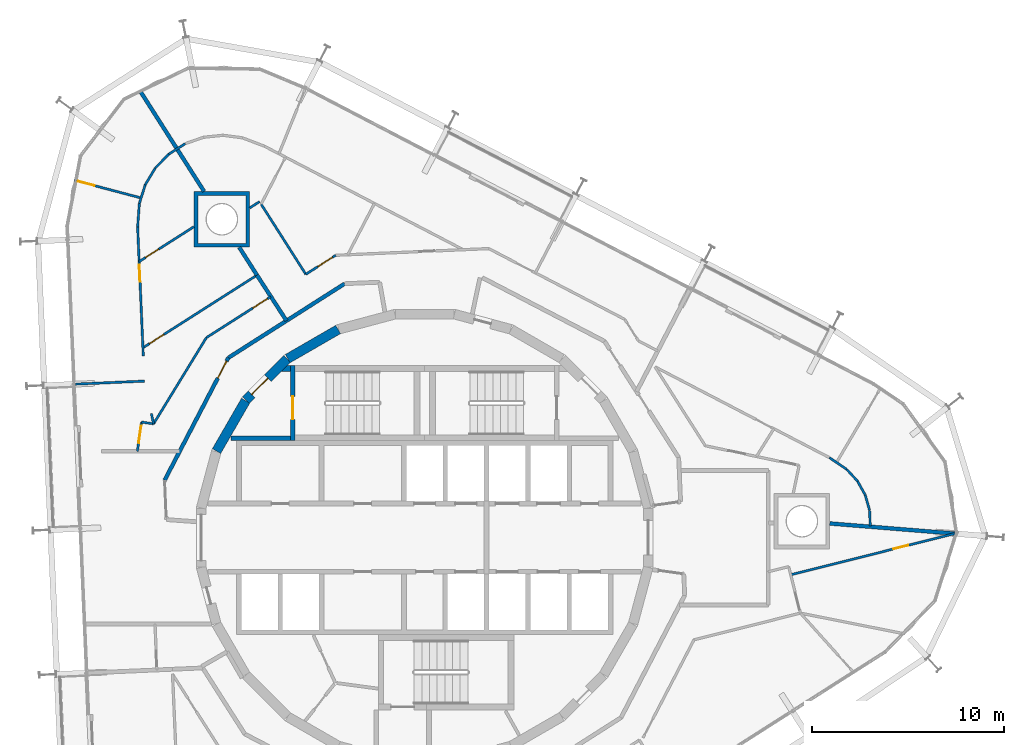
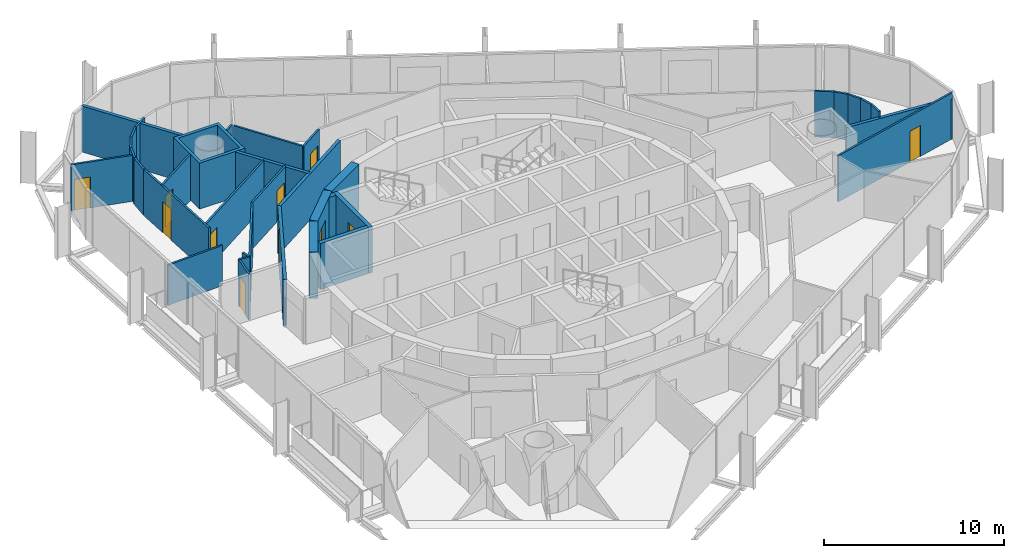
# One storey, part 15 of 18: 37 walls, 11 doors, 11 openings.
"""IFC4 building model written with IfcOpenShell, lengths in metres."""

from ifc_helpers import new_model, si_unit, direction, frame, frame_2d, origin, place, context, subcontext, project, spatial, polyline, rectangle, outline, extrude, material, layer, layer_set, type_object, element, fill, save


model = new_model("IFC4")

# Units and contexts
model_context = context("Model", 3, precision=1e-05, world=origin(), true_north=direction((0.0, 1.0)))
body_context = subcontext(model_context, "Body", "Model", "MODEL_VIEW")
ifc_project = project(units=[si_unit("LENGTHUNIT", "METRE"), si_unit("AREAUNIT", "SQUARE_METRE"), si_unit("VOLUMEUNIT", "CUBIC_METRE"), si_unit("PLANEANGLEUNIT", "RADIAN"), si_unit("MASSUNIT", "GRAM", prefix="KILO")], contexts=[model_context])

# Site, building, storey
site_placement = place(None, origin())
site = spatial("IfcSite", under=ifc_project, at=site_placement, CompositionType="ELEMENT")
building_placement = place(site_placement, origin())
building = spatial("IfcBuilding", under=site, at=building_placement, Name="Spindle Arch Residences", CompositionType="ELEMENT")
storey_placement = place(building_placement, frame((0.0, 0.0, 230.199951171875)))
storey = spatial("IfcBuildingStorey", under=building, at=storey_placement, Name="L58", CompositionType="ELEMENT", Elevation=230.199951171875)

# Wall
ifc_material_1 = material(Name="Concrete C50/60", Category="concrete")
ifc_layer_1 = layer(ifc_material_1, 0.5)
ifc_layer_set_1 = layer_set([ifc_layer_1], Name="Core outline wall 500")
wall_type_1 = type_object("IfcWallType", Name="Core outline wall 500", PredefinedType="SHEAR", material=ifc_layer_set_1)
wall_1_placement = place(storey_placement, frame((-4.510498046875, 10.84521484375, 0.0), z_axis=(0.0, 0.0, 1.0), x_axis=(-0.865975092491, -0.500087131594, 0.0)))
element("IfcWall", 1, at=wall_1_placement, inside=storey, type_object=wall_type_1, Name="Core outline wall 14", PredefinedType="SHEAR", context=body_context, shape_type="SweptSolid", body=[
    extrude(rectangle(XDim=3.03271484375, YDim=0.5, at=frame_2d((1.516357421875, 0.0))), origin(), (0.0, 0.0, 1.0), 3.1201171875),
])

# Wall, opening, door
wall_2_placement = place(storey_placement, frame((-7.163818359375, 9.30810546875, 0.0), z_axis=(0.0, 0.0, 1.0), x_axis=(-0.707106781187, -0.707106781187, 0.0)))
wall_2 = element("IfcWall", 2, at=wall_2_placement, inside=storey, type_object=wall_type_1, Name="Core outline wall 15", PredefinedType="SHEAR", context=body_context, shape_type="SweptSolid", body=[
    extrude(rectangle(XDim=3.032470703125, YDim=0.5, at=frame_2d((1.51611328125, 0.0))), origin(), (0.0, 0.0, 1.0), 3.1201171875),
])
opening_1_placement = place(wall_2_placement, frame((1.416259765625, 0.0, 0.0)))
opening_1 = element("IfcOpeningElement", 3, at=opening_1_placement, cuts=wall_2, Name="Opening R6A1-AD02", PredefinedType="OPENING", context=body_context, shape_type="SweptSolid", body=[
    extrude(rectangle(XDim=1.199951171875, YDim=2.10009765625, at=frame_2d((0.60009765625, 1.050048828125))), frame((0.0, 0.260009765625, 0.0), z_axis=(0.0, -1.0, 0.0), x_axis=(1.0, 0.0, 0.0)), (0.0, 0.0, 1.0), 0.52001953125),
])
ifc_material_2 = material(Name="Steel, fire-resisting door", Category="steel")
door_type_1 = type_object("IfcDoorType", Name="Stair airlock door 1200x2100", OperationType="SINGLE_SWING_LEFT", PredefinedType="DOOR", material=ifc_material_2)
door_1_placement = place(opening_1_placement, origin())
door_1 = element("IfcDoor", 4, at=door_1_placement, inside=storey, type_object=door_type_1, Name="Stair airlock door R6A1-AD02", OperationType="SINGLE_SWING_RIGHT", OverallHeight=2.10009765625, OverallWidth=1.199951171875, PredefinedType="DOOR", context=body_context, shape_type="SweptSolid", body=[
    extrude(rectangle(XDim=1.199951171875, YDim=2.10009765625, at=frame_2d((0.60009765625, 1.050048828125))), frame((0.0, 0.02490234375, 0.0), z_axis=(0.0, -1.0, 0.0), x_axis=(1.0, 0.0, 0.0)), (0.0, 0.0, 1.0), 0.050048828125),
])
fill(opening_1, door_1)

# Walls
wall_3_placement = place(storey_placement, frame((-9.32861328125, 7.13671875, 0.0), z_axis=(0.0, 0.0, 1.0), x_axis=(-0.500087131594, -0.865975092491, 0.0)))
element("IfcWall", 5, at=wall_3_placement, inside=storey, type_object=wall_type_1, Name="Core outline wall 16", PredefinedType="SHEAR", context=body_context, shape_type="SweptSolid", body=[
    extrude(rectangle(XDim=3.03271484375, YDim=0.5, at=frame_2d((1.516357421875, 0.0))), origin(), (0.0, 0.0, 1.0), 3.1201171875),
])
ifc_material_3 = material(Name="Calcium silicate block, plastered")
ifc_layer_2 = layer(ifc_material_3, 0.199951171875)
ifc_layer_set_2 = layer_set([ifc_layer_2], Name="Corridor wall 200")
wall_type_2 = type_object("IfcWallType", Name="Corridor wall 200", PredefinedType="STANDARD", material=ifc_layer_set_2)
wall_4_placement = place(storey_placement, frame((-4.171630859375, 13.230712890625, 0.0), z_axis=(0.0, 0.0, 1.0), x_axis=(-0.843388394728, -0.537304397561, 0.0)))
element("IfcWall", 6, at=wall_4_placement, inside=storey, type_object=wall_type_2, Name="Corridor wall R6A1-W012", PredefinedType="STANDARD", context=body_context, shape_type="SweptSolid", body=[
    extrude(rectangle(XDim=7.180908203125, YDim=0.199951171875, at=frame_2d((3.59033203125, 0.0))), origin(), (0.0, 0.0, 1.0), 3.1201171875),
])
ifc_material_4 = material(Name="Plasterboard on steel studs", Category="steel")
ifc_layer_3 = layer(ifc_material_4, 0.1201171875)
ifc_layer_set_3 = layer_set([ifc_layer_3], Name="Flat partition 120")
wall_type_3 = type_object("IfcWallType", Name="Flat partition 120", PredefinedType="PARTITIONING", material=ifc_layer_set_3)
wall_5_placement = place(storey_placement, frame((21.085205078125, 4.16943359375, 0.0), z_axis=(0.0, 0.0, 1.0), x_axis=(0.827390024541, -0.561627765776, 0.0)))
element("IfcWall", 7, at=wall_5_placement, inside=storey, type_object=wall_type_3, Name="Flat partition R6A1-W043", PredefinedType="PARTITIONING", context=body_context, shape_type="SweptSolid", body=[
    extrude(rectangle(XDim=1.086669921875, YDim=0.1201171875, at=frame_2d((0.54345703125, 0.0))), origin(), (0.0, 0.0, 1.0), 3.1201171875),
])
wall_6_placement = place(storey_placement, frame((21.984375, 3.55908203125, 0.0), z_axis=(0.0, 0.0, 1.0), x_axis=(0.675497816835, -0.737361986715, 0.0)))
element("IfcWall", 8, at=wall_6_placement, inside=storey, type_object=wall_type_3, Name="Flat partition R6A1-W044", PredefinedType="PARTITIONING", context=body_context, shape_type="SweptSolid", body=[
    extrude(rectangle(XDim=0.828857421875, YDim=0.1201171875, at=frame_2d((0.41455078125, 0.0))), origin(), (0.0, 0.0, 1.0), 3.1201171875),
])
wall_7_placement = place(storey_placement, frame((22.544189453125, 2.947998046875, 0.0), z_axis=(0.0, 0.0, 1.0), x_axis=(0.487392269075, -0.873183128585, 0.0)))
element("IfcWall", 9, at=wall_7_placement, inside=storey, type_object=wall_type_3, Name="Flat partition R6A1-W045", PredefinedType="PARTITIONING", context=body_context, shape_type="SweptSolid", body=[
    extrude(rectangle(XDim=0.8291015625, YDim=0.1201171875, at=frame_2d((0.41455078125, 0.0))), origin(), (0.0, 0.0, 1.0), 3.1201171875),
])
for number, where, z_axis, x_axis, name in (
    (10, (22.9482421875, 2.22412109375, 0.0), (0.0, 0.0, 1.0), (0.272775267496, -0.96207777931, 0.0), "Flat partition R6A1-W046"),
    (11, (23.17431640625, 1.4267578125, 0.0), (0.0, 0.0, 1.0), (0.043884567994, -0.999036608284, 0.0), "Flat partition R6A1-W047"),
):
    element("IfcWall", number, at=place(storey_placement, frame(where, z_axis=z_axis, x_axis=x_axis)), inside=storey, type_object=wall_type_3, Name=name, PredefinedType="PARTITIONING", context=body_context, shape_type="SweptSolid", body=[
        extrude(rectangle(XDim=0.828857421875, YDim=0.1201171875, at=frame_2d((0.41455078125, 0.0))), origin(), (0.0, 0.0, 1.0), 3.1201171875),
    ])

# Wall, opening, door
wall_8_placement = place(storey_placement, frame((-4.638671875, 14.711669921875, 0.0), z_axis=(0.0, 0.0, 1.0), x_axis=(-0.843361471414, -0.537346655833, 0.0)))
wall_8 = element("IfcWall", 12, at=wall_8_placement, inside=storey, type_object=wall_type_3, Name="Flat partition R6A1-W055", PredefinedType="PARTITIONING", context=body_context, shape_type="SweptSolid", body=[
    extrude(rectangle(XDim=1.84375, YDim=0.1201171875, at=frame_2d((0.921875, 0.0))), origin(), (0.0, 0.0, 1.0), 3.1201171875),
])
opening_2_placement = place(wall_8_placement, frame((0.199951171875, 0.0, 0.0)))
opening_2 = element("IfcOpeningElement", 13, at=opening_2_placement, cuts=wall_8, Name="Opening R6A1-ID06", PredefinedType="OPENING", context=body_context, shape_type="SweptSolid", body=[
    extrude(rectangle(XDim=0.89990234375, YDim=2.10009765625, at=frame_2d((0.449951171875, 1.050048828125))), frame((0.0, 0.070068359375, 0.0), z_axis=(0.0, -1.0, 0.0), x_axis=(1.0, 0.0, 0.0)), (0.0, 0.0, 1.0), 0.14013671875),
])
ifc_material_5 = material(Name="Timber door set", Category="wood")
door_type_2 = type_object("IfcDoorType", Name="Room door 900x2100", OperationType="NOTDEFINED", PredefinedType="DOOR", material=ifc_material_5)
door_2_placement = place(opening_2_placement, origin())
door_2 = element("IfcDoor", 14, at=door_2_placement, inside=storey, type_object=door_type_2, Name="Room door R6A1-ID06", OperationType="SINGLE_SWING_RIGHT", OverallHeight=2.10009765625, OverallWidth=0.89990234375, PredefinedType="DOOR", context=body_context, shape_type="SweptSolid", body=[
    extrude(rectangle(XDim=0.89990234375, YDim=2.10009765625, at=frame_2d((0.449951171875, 1.050048828125))), frame((0.0, 0.02490234375, 0.0), z_axis=(0.0, -1.0, 0.0), x_axis=(1.0, 0.0, 0.0)), (0.0, 0.0, 1.0), 0.050048828125),
])
fill(opening_2, door_2)

# Walls
wall_9_placement = place(storey_placement, frame((-6.193603515625, 13.720947265625, 0.0), z_axis=(0.0, 0.0, 1.0), x_axis=(-0.537316807294, 0.843380488629, 0.0)))
element("IfcWall", 15, at=wall_9_placement, inside=storey, type_object=wall_type_3, Name="Flat partition R6A1-W056", PredefinedType="PARTITIONING", context=body_context, shape_type="SweptSolid", body=[
    extrude(rectangle(XDim=4.33056640625, YDim=0.1201171875, at=frame_2d((2.165283203125, 0.0))), origin(), (0.0, 0.0, 1.0), 3.1201171875),
])
wall_10_placement = place(storey_placement, frame((-8.603515625, 17.50390625, 0.0), z_axis=(0.0, 0.0, 1.0), x_axis=(-0.843265746233, -0.537496866251, 0.0)))
element("IfcWall", 16, at=wall_10_placement, inside=storey, type_object=wall_type_3, Name="Flat partition R6A1-W057", PredefinedType="PARTITIONING", context=body_context, shape_type="SweptSolid", body=[
    extrude(rectangle(XDim=0.610107421875, YDim=0.1201171875, at=frame_2d((0.30517578125, 0.0))), origin(), (0.0, 0.0, 1.0), 3.1201171875),
])
wall_11_placement = place(storey_placement, frame((-13.33154296875, 19.980712890625, 0.0), z_axis=(0.0, 0.0, 1.0), x_axis=(0.843404143432, 0.537279676557, 0.0)))
element("IfcWall", 17, at=wall_11_placement, inside=storey, type_object=wall_type_3, Name="Flat partition R6A1-W063", PredefinedType="PARTITIONING", context=body_context, shape_type="SweptSolid", body=[
    extrude(rectangle(XDim=1.01611328125, YDim=0.1201171875, at=frame_2d((0.508056640625, 0.0))), origin(), (0.0, 0.0, 1.0), 3.1201171875),
])

# Wall, opening, door
wall_12_placement = place(storey_placement, frame((-8.0234375, 12.55517578125, 0.0), z_axis=(0.0, 0.0, 1.0), x_axis=(-0.843408270233, -0.537273198385, 0.0)))
wall_12 = element("IfcWall", 18, at=wall_12_placement, inside=storey, type_object=wall_type_3, Name="Flat partition R6A1-W068", PredefinedType="PARTITIONING", context=body_context, shape_type="SweptSolid", body=[
    extrude(rectangle(XDim=3.971435546875, YDim=0.1201171875, at=frame_2d((1.98583984375, 0.0))), origin(), (0.0, 0.0, 1.0), 3.1201171875),
])
opening_3_placement = place(wall_12_placement, frame((0.199951171875, 0.0, 0.0)))
opening_3 = element("IfcOpeningElement", 19, at=opening_3_placement, cuts=wall_12, Name="Opening R6A1-ID09", PredefinedType="OPENING", context=body_context, shape_type="SweptSolid", body=[
    extrude(rectangle(XDim=0.89990234375, YDim=2.10009765625, at=frame_2d((0.449951171875, 1.050048828125))), frame((0.0, 0.070068359375, 0.0), z_axis=(0.0, -1.0, 0.0), x_axis=(1.0, 0.0, 0.0)), (0.0, 0.0, 1.0), 0.14013671875),
])
door_3_placement = place(opening_3_placement, origin())
door_3 = element("IfcDoor", 20, at=door_3_placement, inside=storey, type_object=door_type_2, Name="Room door R6A1-ID09", OperationType="SINGLE_SWING_LEFT", OverallHeight=2.10009765625, OverallWidth=0.89990234375, PredefinedType="DOOR", context=body_context, shape_type="SweptSolid", body=[
    extrude(rectangle(XDim=0.89990234375, YDim=2.10009765625, at=frame_2d((0.449951171875, 1.050048828125))), frame((0.0, 0.02490234375, 0.0), z_axis=(0.0, -1.0, 0.0), x_axis=(1.0, 0.0, 0.0)), (0.0, 0.0, 1.0), 0.050048828125),
])
fill(opening_3, door_3)

# Walls
wall_13_placement = place(storey_placement, frame((-11.373046875, 10.42138671875, 0.0), z_axis=(0.0, 0.0, 1.0), x_axis=(-0.522435957358, -0.852678527031, 0.0)))
element("IfcWall", 21, at=wall_13_placement, inside=storey, type_object=wall_type_3, Name="Flat partition R6A1-W069", PredefinedType="PARTITIONING", context=body_context, shape_type="SweptSolid", body=[
    extrude(rectangle(XDim=5.2666015625, YDim=0.1201171875, at=frame_2d((2.63330078125, 0.0))), origin(), (0.0, 0.0, 1.0), 3.1201171875),
])
wall_14_placement = place(storey_placement, frame((-14.12451171875, 5.9306640625, 0.0), z_axis=(0.0, 0.0, 1.0), x_axis=(-0.989621518838, 0.143698467119, 0.0)))
element("IfcWall", 22, at=wall_14_placement, inside=storey, type_object=wall_type_3, Name="Flat partition R6A1-W070", PredefinedType="PARTITIONING", context=body_context, shape_type="SweptSolid", body=[
    extrude(rectangle(XDim=0.63037109375, YDim=0.1201171875, at=frame_2d((0.315185546875, 0.0))), origin(), (0.0, 0.0, 1.0), 3.1201171875),
])

# Wall, opening, door
wall_15_placement = place(storey_placement, frame((-14.748291015625, 6.021240234375, 0.0), z_axis=(0.0, 0.0, 1.0), x_axis=(-0.143888945672, -0.98959384159, 0.0)))
wall_15 = element("IfcWall", 23, at=wall_15_placement, inside=storey, type_object=wall_type_3, Name="Flat partition R6A1-W071", PredefinedType="PARTITIONING", context=body_context, shape_type="SweptSolid", body=[
    extrude(rectangle(XDim=1.537353515625, YDim=0.1201171875, at=frame_2d((0.7685546875, 0.0))), origin(), (0.0, 0.0, 1.0), 3.1201171875),
])
opening_4_placement = place(wall_15_placement, frame((0.199951171875, 0.0, 0.0)))
opening_4 = element("IfcOpeningElement", 24, at=opening_4_placement, cuts=wall_15, Name="Opening R6A1-ID10", PredefinedType="OPENING", context=body_context, shape_type="SweptSolid", body=[
    extrude(rectangle(XDim=0.89990234375, YDim=2.10009765625, at=frame_2d((0.449951171875, 1.050048828125))), frame((0.0, 0.070068359375, 0.0), z_axis=(0.0, -1.0, 0.0), x_axis=(1.0, 0.0, 0.0)), (0.0, 0.0, 1.0), 0.14013671875),
])
door_4_placement = place(opening_4_placement, origin())
door_4 = element("IfcDoor", 25, at=door_4_placement, inside=storey, type_object=door_type_2, Name="Room door R6A1-ID10", OperationType="SINGLE_SWING_LEFT", OverallHeight=2.10009765625, OverallWidth=0.89990234375, PredefinedType="DOOR", context=body_context, shape_type="SweptSolid", body=[
    extrude(rectangle(XDim=0.89990234375, YDim=2.10009765625, at=frame_2d((0.449951171875, 1.050048828125))), frame((0.0, 0.02490234375, 0.0), z_axis=(0.0, -1.0, 0.0), x_axis=(1.0, 0.0, 0.0)), (0.0, 0.0, 1.0), 0.050048828125),
])
fill(opening_4, door_4)

# Walls
for number, where, z_axis, x_axis, name in (
    (26, (-14.865478515625, 17.410888671875, 0.0), (0.0, 0.0, 1.0), (0.300682714382, 0.953724229152, 0.0), "Flat partition R6A1-W072"),
    (27, (-14.56005859375, 18.379638671875, 0.0), (0.0, 0.0, 1.0), (0.512586118981, 0.858635819558, 0.0), "Flat partition R6A1-W073"),
    (28, (-14.039306640625, 19.251953125, 0.0), (0.0, 0.0, 1.0), (0.69669736192, 0.717365169138, 0.0), "Flat partition R6A1-W074"),
):
    element("IfcWall", number, at=place(storey_placement, frame(where, z_axis=z_axis, x_axis=x_axis)), inside=storey, type_object=wall_type_3, Name=name, PredefinedType="PARTITIONING", context=body_context, shape_type="SweptSolid", body=[
        extrude(rectangle(XDim=1.015869140625, YDim=0.1201171875, at=frame_2d((0.5078125, 0.0))), origin(), (0.0, 0.0, 1.0), 3.1201171875),
    ])

# Wall, opening, door
wall_16_placement = place(storey_placement, frame((-18.259521484375, 18.6181640625, 0.0), z_axis=(0.0, 0.0, 1.0), x_axis=(0.96689176932, -0.25518680691, 0.0)))
wall_16 = element("IfcWall", 29, at=wall_16_placement, inside=storey, type_object=wall_type_3, Name="Flat partition R6A1-W075", PredefinedType="PARTITIONING", context=body_context, shape_type="SweptSolid", body=[
    extrude(rectangle(XDim=3.60400390625, YDim=0.1201171875, at=frame_2d((1.802001953125, 0.0))), origin(), (0.0, 0.0, 1.0), 3.1201171875),
])
opening_5_placement = place(wall_16_placement, frame((0.199951171875, 0.0, 0.0)))
opening_5 = element("IfcOpeningElement", 30, at=opening_5_placement, cuts=wall_16, Name="Opening R6A1-ID13", PredefinedType="OPENING", context=body_context, shape_type="SweptSolid", body=[
    extrude(rectangle(XDim=0.89990234375, YDim=2.10009765625, at=frame_2d((0.449951171875, 1.050048828125))), frame((0.0, 0.070068359375, 0.0), z_axis=(0.0, -1.0, 0.0), x_axis=(1.0, 0.0, 0.0)), (0.0, 0.0, 1.0), 0.14013671875),
])
door_5_placement = place(opening_5_placement, origin())
door_5 = element("IfcDoor", 31, at=door_5_placement, inside=storey, type_object=door_type_2, Name="Room door R6A1-ID13", OperationType="SINGLE_SWING_LEFT", OverallHeight=2.10009765625, OverallWidth=0.89990234375, PredefinedType="DOOR", context=body_context, shape_type="SweptSolid", body=[
    extrude(rectangle(XDim=0.89990234375, YDim=2.10009765625, at=frame_2d((0.449951171875, 1.050048828125))), frame((0.0, 0.02490234375, 0.0), z_axis=(0.0, -1.0, 0.0), x_axis=(1.0, 0.0, 0.0)), (0.0, 0.0, 1.0), 0.050048828125),
])
fill(opening_5, door_5)

wall_17_placement = place(storey_placement, frame((-14.8759765625, 14.381591796875, 0.0), z_axis=(0.0, 0.0, 1.0), x_axis=(0.843409222082, 0.537271704175, 0.0)))
wall_17 = element("IfcWall", 32, at=wall_17_placement, inside=storey, type_object=wall_type_3, Name="Flat partition R6A1-W076", PredefinedType="PARTITIONING", context=body_context, shape_type="SweptSolid", body=[
    extrude(rectangle(XDim=3.388427734375, YDim=0.1201171875, at=frame_2d((1.6943359375, 0.0))), origin(), (0.0, 0.0, 1.0), 3.1201171875),
])
opening_6_placement = place(wall_17_placement, frame((0.39990234375, 0.0, 0.0)))
opening_6 = element("IfcOpeningElement", 33, at=opening_6_placement, cuts=wall_17, Name="Opening R6A1-BD03", PredefinedType="OPENING", context=body_context, shape_type="SweptSolid", body=[
    extrude(rectangle(XDim=0.800048828125, YDim=2.10009765625, at=frame_2d((0.39990234375, 1.050048828125))), frame((0.0, 0.070068359375, 0.0), z_axis=(0.0, -1.0, 0.0), x_axis=(1.0, 0.0, 0.0)), (0.0, 0.0, 1.0), 0.14013671875),
])
ifc_material_6 = material(Name="Timber door set", Category="wood")
door_type_3 = type_object("IfcDoorType", Name="Bathroom door 800x2100", OperationType="NOTDEFINED", PredefinedType="DOOR", material=ifc_material_6)
door_6_placement = place(opening_6_placement, origin())
door_6 = element("IfcDoor", 34, at=door_6_placement, inside=storey, type_object=door_type_3, Name="Bathroom door R6A1-BD03", OperationType="SINGLE_SWING_LEFT", OverallHeight=2.10009765625, OverallWidth=0.800048828125, PredefinedType="DOOR", context=body_context, shape_type="SweptSolid", body=[
    extrude(rectangle(XDim=0.800048828125, YDim=2.10009765625, at=frame_2d((0.39990234375, 1.050048828125))), frame((0.0, 0.02490234375, 0.0), z_axis=(0.0, -1.0, 0.0), x_axis=(1.0, 0.0, 0.0)), (0.0, 0.0, 1.0), 0.050048828125),
])
fill(opening_6, door_6)

# Wall
wall_18_placement = place(storey_placement, frame((-14.865478515625, 17.410888671875, 0.0), z_axis=(0.0, 0.0, 1.0), x_axis=(-0.072618457011, -0.997359794508, 0.0)))
element("IfcWall", 35, at=wall_18_placement, inside=storey, type_object=wall_type_3, Name="Flat partition R6A1-W077", PredefinedType="PARTITIONING", context=body_context, shape_type="SweptSolid", body=[
    extrude(rectangle(XDim=1.22705078125, YDim=0.1201171875, at=frame_2d((0.613525390625, 0.0))), origin(), (0.0, 0.0, 1.0), 3.1201171875),
])

# Wall, opening, door
wall_19_placement = place(storey_placement, frame((-14.95458984375, 16.18701171875, 0.0), z_axis=(0.0, 0.0, 1.0), x_axis=(0.043591713888, -0.999049429448, 0.0)))
wall_19 = element("IfcWall", 36, at=wall_19_placement, inside=storey, type_object=wall_type_3, Name="Flat partition R6A1-W078", PredefinedType="PARTITIONING", context=body_context, shape_type="SweptSolid", body=[
    extrude(rectangle(XDim=6.720703125, YDim=0.1201171875, at=frame_2d((3.3603515625, 0.0))), origin(), (0.0, 0.0, 1.0), 3.1201171875),
])
opening_7_placement = place(wall_19_placement, frame((1.9609375, 0.0, 0.0)))
opening_7 = element("IfcOpeningElement", 37, at=opening_7_placement, cuts=wall_19, Name="Opening R6A1-ID12", PredefinedType="OPENING", context=body_context, shape_type="SweptSolid", body=[
    extrude(rectangle(XDim=0.89990234375, YDim=2.10009765625, at=frame_2d((0.449951171875, 1.050048828125))), frame((0.0, 0.070068359375, 0.0), z_axis=(0.0, -1.0, 0.0), x_axis=(1.0, 0.0, 0.0)), (0.0, 0.0, 1.0), 0.14013671875),
])
door_7_placement = place(opening_7_placement, origin())
door_7 = element("IfcDoor", 38, at=door_7_placement, inside=storey, type_object=door_type_2, Name="Room door R6A1-ID12", OperationType="SINGLE_SWING_LEFT", OverallHeight=2.10009765625, OverallWidth=0.89990234375, PredefinedType="DOOR", context=body_context, shape_type="SweptSolid", body=[
    extrude(rectangle(XDim=0.89990234375, YDim=2.10009765625, at=frame_2d((0.449951171875, 1.050048828125))), frame((0.0, 0.02490234375, 0.0), z_axis=(0.0, -1.0, 0.0), x_axis=(1.0, 0.0, 0.0)), (0.0, 0.0, 1.0), 0.050048828125),
])
fill(opening_7, door_7)

wall_20_placement = place(storey_placement, frame((-14.6796875, 9.89111328125, 0.0), z_axis=(0.0, 0.0, 1.0), x_axis=(0.843391697183, 0.537299213774, 0.0)))
wall_20 = element("IfcWall", 39, at=wall_20_placement, inside=storey, type_object=wall_type_3, Name="Flat partition R6A1-W079", PredefinedType="PARTITIONING", context=body_context, shape_type="SweptSolid", body=[
    extrude(rectangle(XDim=7.045166015625, YDim=0.1201171875, at=frame_2d((3.5224609375, 0.0))), origin(), (0.0, 0.0, 1.0), 3.1201171875),
])
opening_8_placement = place(wall_20_placement, frame((0.39990234375, 0.0, 0.0)))
opening_8 = element("IfcOpeningElement", 40, at=opening_8_placement, cuts=wall_20, Name="Opening R6A1-ID11", PredefinedType="OPENING", context=body_context, shape_type="SweptSolid", body=[
    extrude(rectangle(XDim=0.89990234375, YDim=2.10009765625, at=frame_2d((0.449951171875, 1.050048828125))), frame((0.0, 0.070068359375, 0.0), z_axis=(0.0, -1.0, 0.0), x_axis=(1.0, 0.0, 0.0)), (0.0, 0.0, 1.0), 0.14013671875),
])
door_8_placement = place(opening_8_placement, origin())
door_8 = element("IfcDoor", 41, at=door_8_placement, inside=storey, type_object=door_type_2, Name="Room door R6A1-ID11", OperationType="SINGLE_SWING_LEFT", OverallHeight=2.10009765625, OverallWidth=0.89990234375, PredefinedType="DOOR", context=body_context, shape_type="SweptSolid", body=[
    extrude(rectangle(XDim=0.89990234375, YDim=2.10009765625, at=frame_2d((0.449951171875, 1.050048828125))), frame((0.0, 0.02490234375, 0.0), z_axis=(0.0, -1.0, 0.0), x_axis=(1.0, 0.0, 0.0)), (0.0, 0.0, 1.0), 0.050048828125),
])
fill(opening_8, door_8)

# Wall
wall_21_placement = place(storey_placement, frame((-14.240234375, 6.467041015625, 0.0), z_axis=(0.0, 0.0, 1.0), x_axis=(0.210896225868, -0.977508456186, 0.0)))
element("IfcWall", 42, at=wall_21_placement, inside=storey, type_object=wall_type_3, Name="Flat partition R6A1-W080", PredefinedType="PARTITIONING", context=body_context, shape_type="SweptSolid", body=[
    extrude(rectangle(XDim=0.548828125, YDim=0.1201171875, at=frame_2d((0.2744140625, 0.0))), origin(), (0.0, 0.0, 1.0), 3.1201171875),
])

# Wall, opening, door
wall_22_placement = place(storey_placement, frame((27.616455078125, 0.211669921875, 0.0), z_axis=(0.0, 0.0, 1.0), x_axis=(-0.969995609005, -0.243122435227, 0.0)))
wall_22 = element("IfcWall", 43, at=wall_22_placement, inside=storey, type_object=wall_type_3, Name="Flat partition R6A1-W116", PredefinedType="PARTITIONING", context=body_context, shape_type="SweptSolid", body=[
    extrude(rectangle(XDim=8.809814453125, YDim=0.1201171875, at=frame_2d((4.40478515625, 0.0))), origin(), (0.0, 0.0, 1.0), 3.1201171875),
])
opening_9_placement = place(wall_22_placement, frame((2.5, 0.0, 0.0)))
opening_9 = element("IfcOpeningElement", 44, at=opening_9_placement, cuts=wall_22, Name="Opening R6A1-BD07", PredefinedType="OPENING", context=body_context, shape_type="SweptSolid", body=[
    extrude(rectangle(XDim=0.800048828125, YDim=2.10009765625, at=frame_2d((0.39990234375, 1.050048828125))), frame((0.0, 0.070068359375, 0.0), z_axis=(0.0, -1.0, 0.0), x_axis=(1.0, 0.0, 0.0)), (0.0, 0.0, 1.0), 0.14013671875),
])
door_9_placement = place(opening_9_placement, origin())
door_9 = element("IfcDoor", 45, at=door_9_placement, inside=storey, type_object=door_type_3, Name="Bathroom door R6A1-BD07", OperationType="SINGLE_SWING_RIGHT", OverallHeight=2.10009765625, OverallWidth=0.800048828125, PredefinedType="DOOR", context=body_context, shape_type="SweptSolid", body=[
    extrude(rectangle(XDim=0.800048828125, YDim=2.10009765625, at=frame_2d((0.39990234375, 1.050048828125))), frame((0.0, 0.02490234375, 0.0), z_axis=(0.0, -1.0, 0.0), x_axis=(1.0, 0.0, 0.0)), (0.0, 0.0, 1.0), 0.050048828125),
])
fill(opening_9, door_9)

# Walls
ifc_material_7 = material(Name="Plasterboard on steel studs", Category="steel")
ifc_layer_4 = layer(ifc_material_7, 0.1201171875)
ifc_layer_set_4 = layer_set([ifc_layer_4], Name="Flat partition 120 under beam 2730")
wall_type_4 = type_object("IfcWallType", Name="Flat partition 120 under beam 2730", PredefinedType="PARTITIONING", material=ifc_layer_set_4)
wall_23_placement = place(storey_placement, frame((-18.20068359375, 7.998779296875, 0.0), z_axis=(0.0, 0.0, 1.0), x_axis=(0.999048850974, 0.043604969534, 0.0)))
element("IfcWall", 46, at=wall_23_placement, inside=storey, type_object=wall_type_4, Name="Flat partition R6A1-W081", PredefinedType="PARTITIONING", context=body_context, shape_type="SweptSolid", body=[
    extrude(rectangle(XDim=3.60009765625, YDim=0.1201171875, at=frame_2d((1.800048828125, 0.0))), origin(), (0.0, 0.0, 1.0), 2.72998046875),
])
ifc_material_8 = material(Name="Calcium silicate block, plastered")
ifc_layer_5 = layer(ifc_material_8, 0.199951171875)
ifc_layer_set_5 = layer_set([ifc_layer_5], Name="Flat party wall 200")
wall_type_5 = type_object("IfcWallType", Name="Flat party wall 200", PredefinedType="STANDARD", material=ifc_layer_set_5)
wall_24_placement = place(storey_placement, frame((-8.73779296875, 13.676513671875, 0.0), z_axis=(0.0, 0.0, 1.0), x_axis=(0.54358037296, -0.839357121929, 0.0)))
element("IfcWall", 47, at=wall_24_placement, inside=storey, type_object=wall_type_5, Name="Flat party wall R6A1-W031", PredefinedType="STANDARD", context=body_context, shape_type="SweptSolid", body=[
    extrude(rectangle(XDim=2.82958984375, YDim=0.199951171875, at=frame_2d((1.414794921875, 0.0))), origin(), (0.0, 0.0, 1.0), 3.1201171875),
])
wall_25_placement = place(storey_placement, frame((-9.662841796875, 15.12890625, 0.0), z_axis=(0.0, 0.0, 1.0), x_axis=(0.537205715853, -0.843451254581, 0.0)))
element("IfcWall", 48, at=wall_25_placement, inside=storey, type_object=wall_type_5, Name="Flat party wall R6A1-W032", PredefinedType="STANDARD", context=body_context, shape_type="SweptSolid", body=[
    extrude(rectangle(XDim=1.721923828125, YDim=0.199951171875, at=frame_2d((0.86083984375, 0.0))), origin(), (0.0, 0.0, 1.0), 3.1201171875),
])
wall_26_placement = place(storey_placement, frame((-14.83740234375, 23.289794921875, 0.0), z_axis=(0.0, 0.0, 1.0), x_axis=(0.537316863221, -0.843380452998, 0.0)))
element("IfcWall", 49, at=wall_26_placement, inside=storey, type_object=wall_type_5, Name="Flat party wall R6A1-W033", PredefinedType="STANDARD", context=body_context, shape_type="SweptSolid", body=[
    extrude(rectangle(XDim=6.226806640625, YDim=0.199951171875, at=frame_2d((3.11328125, 0.0))), origin(), (0.0, 0.0, 1.0), 3.1201171875),
])
ifc_material_9 = material(Name="Calcium silicate block, plastered")
ifc_layer_6 = layer(ifc_material_9, 0.199951171875)
ifc_layer_set_6 = layer_set([ifc_layer_6], Name="Flat party wall 200 under beam 2730")
wall_type_6 = type_object("IfcWallType", Name="Flat party wall 200 under beam 2730", PredefinedType="STANDARD", material=ifc_layer_set_6)
wall_27_placement = place(storey_placement, frame((21.10009765625, 0.74072265625, 0.0), z_axis=(0.0, 0.0, 1.0), x_axis=(0.996750718609, -0.080548153006, 0.0)))
element("IfcWall", 50, at=wall_27_placement, inside=storey, type_object=wall_type_6, Name="Flat party wall R6A1-W030", PredefinedType="STANDARD", context=body_context, shape_type="SweptSolid", body=[
    extrude(rectangle(XDim=6.537841796875, YDim=0.199951171875, at=frame_2d((3.26904296875, 0.0))), origin(), (0.0, 0.0, 1.0), 2.72998046875),
])

# Wall, opening, door
ifc_material_10 = material(Name="Calcium silicate block, plastered")
ifc_layer_7 = layer(ifc_material_10, 0.199951171875)
ifc_layer_set_7 = layer_set([ifc_layer_7], Name="Lift lobby bay wall 200")
wall_type_7 = type_object("IfcWallType", Name="Lift lobby bay wall 200", PredefinedType="STANDARD", material=ifc_layer_set_7)
wall_28_placement = place(storey_placement, frame((-10.22802734375, 9.372314453125, 0.0), z_axis=(0.0, 0.0, 1.0), x_axis=(-0.461759464021, -0.887005184532, 0.0)))
wall_28 = element("IfcWall", 51, at=wall_28_placement, inside=storey, type_object=wall_type_7, Name="Lift lobby bay wall R6A1-W007", PredefinedType="STANDARD", context=body_context, shape_type="SweptSolid", body=[
    extrude(rectangle(XDim=7.18115234375, YDim=0.199951171875, at=frame_2d((3.590576171875, 0.0))), origin(), (0.0, 0.0, 1.0), 3.1201171875),
])
opening_10_placement = place(wall_28_placement, frame((0.199951171875, 0.0, 0.0)))
opening_10 = element("IfcOpeningElement", 52, at=opening_10_placement, cuts=wall_28, Name="Opening R6A1-FD03", PredefinedType="OPENING", context=body_context, shape_type="SweptSolid", body=[
    extrude(rectangle(XDim=1.0, YDim=2.10009765625, at=frame_2d((0.5, 1.050048828125))), frame((0.0, 0.10986328125, 0.0), z_axis=(0.0, -1.0, 0.0), x_axis=(1.0, 0.0, 0.0)), (0.0, 0.0, 1.0), 0.219970703125),
])
ifc_material_11 = material(Name="Timber, fire-resisting door set", Category="wood")
door_type_4 = type_object("IfcDoorType", Name="Flat entrance door 1000x2100", OperationType="NOTDEFINED", PredefinedType="DOOR", material=ifc_material_11)
door_10_placement = place(opening_10_placement, origin())
door_10 = element("IfcDoor", 53, at=door_10_placement, inside=storey, type_object=door_type_4, Name="Flat entrance door R6A1-FD03", OperationType="SINGLE_SWING_LEFT", OverallHeight=2.10009765625, OverallWidth=1.0, PredefinedType="DOOR", context=body_context, shape_type="SweptSolid", body=[
    extrude(rectangle(XDim=1.0, YDim=2.10009765625, at=frame_2d((0.5, 1.050048828125))), frame((0.0, 0.02490234375, 0.0), z_axis=(0.0, -1.0, 0.0), x_axis=(1.0, 0.0, 0.0)), (0.0, 0.0, 1.0), 0.050048828125),
])
fill(opening_10, door_10)

# Walls
ifc_material_12 = material(Name="Calcium silicate block, plastered")
ifc_layer_8 = layer(ifc_material_12, 0.199951171875)
ifc_layer_set_8 = layer_set([ifc_layer_8], Name="Mega-column casing wall 200")
wall_type_8 = type_object("IfcWallType", Name="Mega-column casing wall 200", PredefinedType="STANDARD", material=ifc_layer_set_8)
wall_29_placement = place(storey_placement, origin())
element("IfcWall", 54, at=wall_29_placement, inside=storey, type_object=wall_type_8, Name="Mega-column casing wall R6A1-WC02", PredefinedType="STANDARD", context=body_context, shape_type="SweptSolid", body=[
    extrude(outline(polyline([(-9.117919921875, 18.038330078125), (-9.117919921875, 15.138427734375), (-12.01806640625, 15.138427734375), (-12.01806640625, 18.038330078125), (-9.117919921875, 18.038330078125)]), holes=[polyline([(-11.818115234375, 15.33837890625), (-9.318115234375, 15.33837890625), (-9.318115234375, 17.83837890625), (-11.818115234375, 17.83837890625), (-11.818115234375, 15.33837890625)])]), origin(), (0.0, 0.0, 1.0), 3.1201171875),
])
ifc_material_13 = material(Name="Concrete C40/50", Category="concrete")
ifc_layer_9 = layer(ifc_material_13, 0.25)
ifc_layer_set_9 = layer_set([ifc_layer_9], Name="Stair airlock wall 250")
wall_type_9 = type_object("IfcWallType", Name="Stair airlock wall 250", PredefinedType="SHEAR", material=ifc_layer_set_9)
wall_30_placement = place(storey_placement, frame((-7.0, 5.175048828125, 0.0), z_axis=(0.0, 0.0, 1.0), x_axis=(-1.0, 0.0, 0.0)))
element("IfcWall", 55, at=wall_30_placement, inside=storey, type_object=wall_type_9, Name="Stair ST-2 airlock wall S", PredefinedType="SHEAR", context=body_context, shape_type="SweptSolid", body=[
    extrude(rectangle(XDim=3.10009765625, YDim=0.25, at=frame_2d((1.550048828125, 0.0))), origin(), (0.0, 0.0, 1.0), 3.1201171875),
])
ifc_material_14 = material(Name="Concrete C40/50", Category="concrete")
wall_type_10 = type_object("IfcWallType", Name="Stair airlock wall profile", PredefinedType="SHEAR", material=ifc_material_14)
wall_31_placement = place(storey_placement, origin())
element("IfcWall", 56, at=wall_31_placement, inside=storey, type_object=wall_type_10, Name="Stair ST-2 airlock wall N", PredefinedType="SHEAR", context=body_context, shape_type="SweptSolid", body=[
    extrude(outline(polyline([(-7.148193359375, 8.969970703125), (-7.0, 8.969970703125), (-7.0, 8.669921875), (-7.4482421875, 8.669921875), (-7.148193359375, 8.969970703125)])), origin(), (0.0, 0.0, 1.0), 3.1201171875),
])

# Wall, opening, door
ifc_material_15 = material(Name="Concrete C50/60", Category="concrete")
ifc_layer_10 = layer(ifc_material_15, 0.25)
ifc_layer_set_10 = layer_set([ifc_layer_10], Name="Stair enclosure wall 250")
wall_type_11 = type_object("IfcWallType", Name="Stair enclosure wall 250", PredefinedType="SHEAR", material=ifc_layer_set_10)
wall_32_placement = place(storey_placement, frame((-6.875, 8.969970703125, 0.0), z_axis=(0.0, 0.0, 1.0), x_axis=(0.0, -1.0, 0.0)))
wall_32 = element("IfcWall", 57, at=wall_32_placement, inside=storey, type_object=wall_type_11, Name="Stair ST-2 door wall", PredefinedType="SHEAR", context=body_context, shape_type="SweptSolid", body=[
    extrude(rectangle(XDim=3.919921875, YDim=0.25, at=frame_2d((1.9599609375, 0.0))), origin(), (0.0, 0.0, 1.0), 3.1201171875),
])
opening_11_placement = place(wall_32_placement, frame((1.610107421875, 0.0, 0.0)))
opening_11 = element("IfcOpeningElement", 58, at=opening_11_placement, cuts=wall_32, Name="Opening R6A1-SD02", PredefinedType="OPENING", context=body_context, shape_type="SweptSolid", body=[
    extrude(rectangle(XDim=1.199951171875, YDim=2.10009765625, at=frame_2d((0.60009765625, 1.050048828125))), frame((0.0, 0.135009765625, 0.0), z_axis=(0.0, -1.0, 0.0), x_axis=(1.0, 0.0, 0.0)), (0.0, 0.0, 1.0), 0.27001953125),
])
ifc_material_16 = material(Name="Steel, fire-resisting door", Category="steel")
door_type_5 = type_object("IfcDoorType", Name="Stair door 1200x2100", OperationType="SINGLE_SWING_RIGHT", PredefinedType="DOOR", material=ifc_material_16)
door_11_placement = place(opening_11_placement, origin())
door_11 = element("IfcDoor", 59, at=door_11_placement, inside=storey, type_object=door_type_5, Name="Stair door R6A1-SD02", OperationType="SINGLE_SWING_LEFT", OverallHeight=2.10009765625, OverallWidth=1.199951171875, PredefinedType="DOOR", context=body_context, shape_type="SweptSolid", body=[
    extrude(rectangle(XDim=1.199951171875, YDim=2.10009765625, at=frame_2d((0.60009765625, 1.050048828125))), frame((0.0, 0.02490234375, 0.0), z_axis=(0.0, -1.0, 0.0), x_axis=(1.0, 0.0, 0.0)), (0.0, 0.0, 1.0), 0.050048828125),
])
fill(opening_11, door_11)

save(model, "model.ifc")
